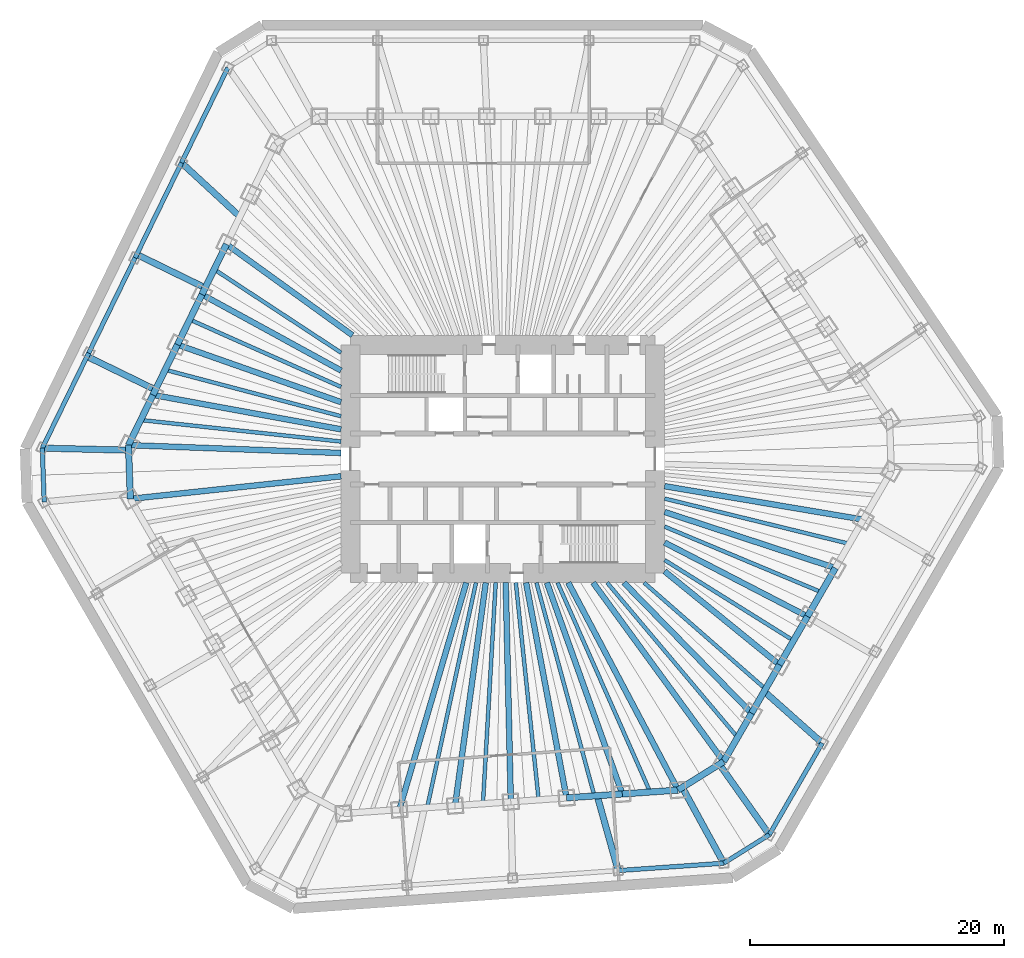
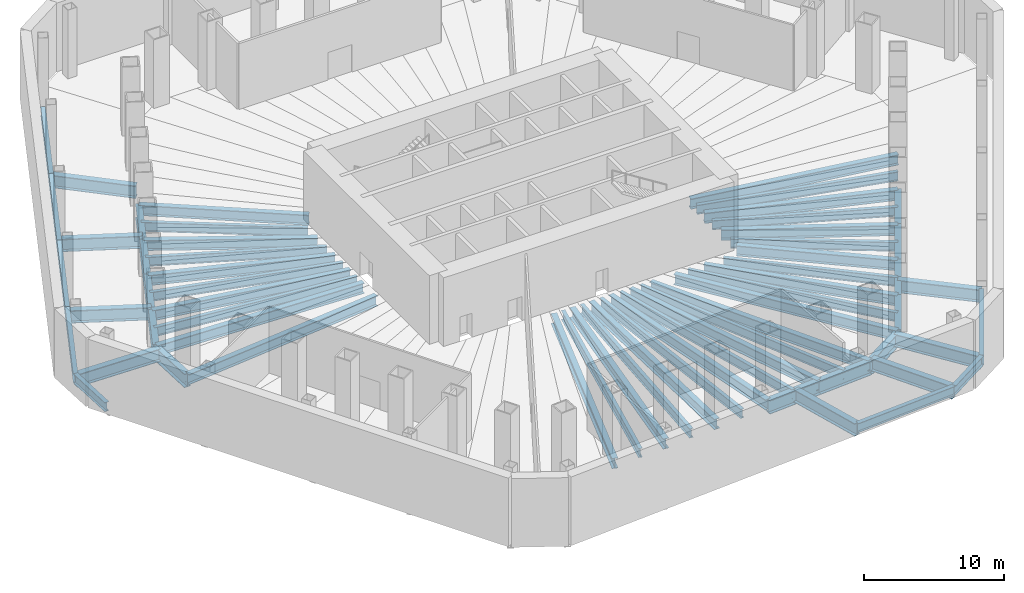
# One storey, part 2 of 8: 60 beams.
"""IFC4 building model written with IfcOpenShell, lengths in metres."""

from ifc_helpers import new_model, si_unit, direction, frame, origin, origin_2d, place, context, subcontext, project, spatial, i_section, extrude, material, material_profile, profile_set, type_object, element, save


model = new_model("IFC4")

# Units and contexts
model_context = context("Model", 3, precision=1e-05, world=origin(), true_north=direction((0.0, 1.0)))
body_context = subcontext(model_context, "Body", "Model", "MODEL_VIEW")
ifc_project = project(units=[si_unit("LENGTHUNIT", "METRE"), si_unit("AREAUNIT", "SQUARE_METRE"), si_unit("VOLUMEUNIT", "CUBIC_METRE"), si_unit("PLANEANGLEUNIT", "RADIAN"), si_unit("MASSUNIT", "GRAM", prefix="KILO")], contexts=[model_context])

# Site, building, storey
site_placement = place(None, origin())
site = spatial("IfcSite", under=ifc_project, at=site_placement, CompositionType="ELEMENT")
building_placement = place(site_placement, origin())
building = spatial("IfcBuilding", under=site, at=building_placement, Name="Qingtian Harvest Tower", CompositionType="ELEMENT")
storey_placement = place(building_placement, frame((0.0, 0.0, -6.0)))
storey = spatial("IfcBuildingStorey", under=building, at=storey_placement, Name="B1", CompositionType="ELEMENT", Elevation=-6.0)

# Beams
ifc_material_1 = material(Name="Steel SM570MC", Category="steel")
ifc_material_profile_1 = material_profile(ifc_material_1, i_section(OverallWidth=0.449951171875, OverallDepth=0.89990234375, WebThickness=0.02197265625, FlangeThickness=0.044921875, at=origin_2d()), Name="H900x450x22x45")
ifc_profile_set_1 = profile_set([ifc_material_profile_1], Name="Steel SM570MC")
beam_type_1 = type_object("IfcBeamType", Name="Floor beam FB5 H900x450x22x45", PredefinedType="BEAM", material=ifc_profile_set_1)
beam_1_placement = place(storey_placement, frame((28.416015625, -4.78173828125, -0.699951171875), z_axis=(-0.986135195489, 0.16594389479, 0.0), x_axis=(-0.16594389479, -0.986135195489, 0.0)))
element("IfcBeam", 1, at=beam_1_placement, inside=storey, type_object=beam_type_1, Name="Floor beam FB5 SE1", PredefinedType="BEAM", context=body_context, shape_type="SweptSolid", body=[
    extrude(i_section(OverallWidth=0.449951171875, OverallDepth=0.89990234375, WebThickness=0.02197265625, FlangeThickness=0.044921875, at=origin_2d()), origin(), (0.0, 0.0, 1.0), 15.88623046875),
])
beam_2_placement = place(storey_placement, frame((26.2138671875, -8.596435546875, -0.699951171875), z_axis=(-0.950210724421, 0.311608053803, 0.0), x_axis=(-0.311608053803, -0.950210724421, 0.0)))
element("IfcBeam", 2, at=beam_2_placement, inside=storey, type_object=beam_type_1, Name="Floor beam FB5 SE2", PredefinedType="BEAM", context=body_context, shape_type="SweptSolid", body=[
    extrude(i_section(OverallWidth=0.449951171875, OverallDepth=0.89990234375, WebThickness=0.02197265625, FlangeThickness=0.044921875, at=origin_2d()), origin(), (0.0, 0.0, 1.0), 14.16943359375),
])
beam_3_placement = place(storey_placement, frame((24.011474609375, -12.410888671875, -0.699951171875), z_axis=(-0.888349581519, 0.45916774823, 0.0), x_axis=(-0.45916774823, -0.888349581519, 0.0)))
element("IfcBeam", 3, at=beam_3_placement, inside=storey, type_object=beam_type_1, Name="Floor beam FB5 SE3", PredefinedType="BEAM", context=body_context, shape_type="SweptSolid", body=[
    extrude(i_section(OverallWidth=0.449951171875, OverallDepth=0.89990234375, WebThickness=0.02197265625, FlangeThickness=0.044921875, at=origin_2d()), origin(), (0.0, 0.0, 1.0), 12.6767578125),
])
beam_4_placement = place(storey_placement, frame((21.809326171875, -16.225341796875, -0.699951171875), z_axis=(-0.775504415669, 0.631342142802, 0.0), x_axis=(-0.631342142802, -0.775504415669, 0.0)))
element("IfcBeam", 4, at=beam_4_placement, inside=storey, type_object=beam_type_1, Name="Floor beam FB5 SE4", PredefinedType="BEAM", context=body_context, shape_type="SweptSolid", body=[
    extrude(i_section(OverallWidth=0.449951171875, OverallDepth=0.89990234375, WebThickness=0.02197265625, FlangeThickness=0.044921875, at=origin_2d()), origin(), (0.0, 0.0, 1.0), 11.681884765625),
])
beam_5_placement = place(storey_placement, frame((19.60693359375, -20.039794921875, -0.699951171875), z_axis=(-0.699348221539, 0.714781130858, 0.0), x_axis=(-0.714781130858, -0.699348221539, 0.0)))
element("IfcBeam", 5, at=beam_5_placement, inside=storey, type_object=beam_type_1, Name="Floor beam FB5 SE5", PredefinedType="BEAM", context=body_context, shape_type="SweptSolid", body=[
    extrude(i_section(OverallWidth=0.449951171875, OverallDepth=0.89990234375, WebThickness=0.02197265625, FlangeThickness=0.044921875, at=origin_2d()), origin(), (0.0, 0.0, 1.0), 14.395751953125),
])
beam_6_placement = place(storey_placement, frame((17.404541015625, -23.854248046875, -0.699951171875), z_axis=(-0.58941234871, 0.807832336062, 0.0), x_axis=(-0.807832336062, -0.58941234871, 0.0)))
element("IfcBeam", 6, at=beam_6_placement, inside=storey, type_object=beam_type_1, Name="Floor beam FB5 SE6", PredefinedType="BEAM", context=body_context, shape_type="SweptSolid", body=[
    extrude(i_section(OverallWidth=0.449951171875, OverallDepth=0.89990234375, WebThickness=0.02197265625, FlangeThickness=0.044921875, at=origin_2d()), origin(), (0.0, 0.0, 1.0), 17.45947265625),
])
beam_7_placement = place(storey_placement, frame((13.810546875, -26.10009765625, -0.699951171875), z_axis=(-0.467705182679, 0.883884529843, 0.0), x_axis=(-0.883884529843, -0.467705182679, 0.0)))
element("IfcBeam", 7, at=beam_7_placement, inside=storey, type_object=beam_type_1, Name="Floor beam FB5 S0", PredefinedType="BEAM", context=body_context, shape_type="SweptSolid", body=[
    extrude(i_section(OverallWidth=0.449951171875, OverallDepth=0.89990234375, WebThickness=0.02197265625, FlangeThickness=0.044921875, at=origin_2d()), origin(), (0.0, 0.0, 1.0), 18.498046875),
])
beam_8_placement = place(storey_placement, frame((9.41650390625, -26.407470703125, -0.699951171875), z_axis=(-0.33586498155, 0.941910141239, 0.0), x_axis=(-0.941910141239, -0.33586498155, 0.0)))
element("IfcBeam", 8, at=beam_8_placement, inside=storey, type_object=beam_type_1, Name="Floor beam FB5 S1", PredefinedType="BEAM", context=body_context, shape_type="SweptSolid", body=[
    extrude(i_section(OverallWidth=0.449951171875, OverallDepth=0.89990234375, WebThickness=0.02197265625, FlangeThickness=0.044921875, at=origin_2d()), origin(), (0.0, 0.0, 1.0), 17.684814453125),
])
beam_9_placement = place(storey_placement, frame((5.022705078125, -26.714599609375, -0.699951171875), z_axis=(-0.184782942099, 0.98277935688, 0.0), x_axis=(-0.98277935688, -0.184782942099, 0.0)))
element("IfcBeam", 9, at=beam_9_placement, inside=storey, type_object=beam_type_1, Name="Floor beam FB5 S2", PredefinedType="BEAM", context=body_context, shape_type="SweptSolid", body=[
    extrude(i_section(OverallWidth=0.449951171875, OverallDepth=0.89990234375, WebThickness=0.02197265625, FlangeThickness=0.044921875, at=origin_2d()), origin(), (0.0, 0.0, 1.0), 17.261962890625),
])
beam_10_placement = place(storey_placement, frame((0.62890625, -27.02197265625, -0.699951171875), z_axis=(-0.023274161941, 0.999729120005, 0.0), x_axis=(-0.999729120005, -0.023274161941, 0.0)))
element("IfcBeam", 10, at=beam_10_placement, inside=storey, type_object=beam_type_1, Name="Floor beam FB5 S3", PredefinedType="BEAM", context=body_context, shape_type="SweptSolid", body=[
    extrude(i_section(OverallWidth=0.449951171875, OverallDepth=0.89990234375, WebThickness=0.02197265625, FlangeThickness=0.044921875, at=origin_2d()), origin(), (0.0, 0.0, 1.0), 17.276611328125),
])
beam_11_placement = place(storey_placement, frame((-3.76513671875, -27.3291015625, -0.699951171875), z_axis=(0.136480966577, 0.990642693287, 0.0), x_axis=(-0.990642693287, 0.136480966577, 0.0)))
element("IfcBeam", 11, at=beam_11_placement, inside=storey, type_object=beam_type_1, Name="Floor beam FB5 S4", PredefinedType="BEAM", context=body_context, shape_type="SweptSolid", body=[
    extrude(i_section(OverallWidth=0.449951171875, OverallDepth=0.89990234375, WebThickness=0.02197265625, FlangeThickness=0.044921875, at=origin_2d()), origin(), (0.0, 0.0, 1.0), 17.7451171875),
])
beam_12_placement = place(storey_placement, frame((-8.158935546875, -27.636474609375, -0.699951171875), z_axis=(0.283142824758, 0.95907775534, 0.0), x_axis=(-0.95907775534, 0.283142824758, 0.0)))
element("IfcBeam", 12, at=beam_12_placement, inside=storey, type_object=beam_type_1, Name="Floor beam FB5 S5", PredefinedType="BEAM", context=body_context, shape_type="SweptSolid", body=[
    extrude(i_section(OverallWidth=0.449951171875, OverallDepth=0.89990234375, WebThickness=0.02197265625, FlangeThickness=0.044921875, at=origin_2d()), origin(), (0.0, 0.0, 1.0), 18.649658203125),
])
beam_13_placement = place(storey_placement, frame((-29.36083984375, -3.145751953125, -0.699951171875), z_axis=(0.994308822197, 0.106536219669, 0.0), x_axis=(-0.106536219669, 0.994308822197, 0.0)))
element("IfcBeam", 13, at=beam_13_placement, inside=storey, type_object=beam_type_1, Name="Floor beam FB5 SW6", PredefinedType="BEAM", context=body_context, shape_type="SweptSolid", body=[
    extrude(i_section(OverallWidth=0.449951171875, OverallDepth=0.89990234375, WebThickness=0.02197265625, FlangeThickness=0.044921875, at=origin_2d()), origin(), (0.0, 0.0, 1.0), 16.705810546875),
])
beam_14_placement = place(storey_placement, frame((-29.5087890625, 1.08984375, -0.699951171875), z_axis=(0.999318796571, -0.036904509488, 0.0), x_axis=(0.036904509488, 0.999318796571, 0.0)))
element("IfcBeam", 14, at=beam_14_placement, inside=storey, type_object=beam_type_1, Name="Floor beam FB5 NW0", PredefinedType="BEAM", context=body_context, shape_type="SweptSolid", body=[
    extrude(i_section(OverallWidth=0.449951171875, OverallDepth=0.89990234375, WebThickness=0.02197265625, FlangeThickness=0.044921875, at=origin_2d()), origin(), (0.0, 0.0, 1.0), 16.770263671875),
])
beam_15_placement = place(storey_placement, frame((-27.577880859375, 5.048828125, -0.699951171875), z_axis=(0.98365177106, -0.180081074215, 0.0), x_axis=(0.180081074215, 0.98365177106, 0.0)))
element("IfcBeam", 15, at=beam_15_placement, inside=storey, type_object=beam_type_1, Name="Floor beam FB5 NW1", PredefinedType="BEAM", context=body_context, shape_type="SweptSolid", body=[
    extrude(i_section(OverallWidth=0.449951171875, OverallDepth=0.89990234375, WebThickness=0.02197265625, FlangeThickness=0.044921875, at=origin_2d()), origin(), (0.0, 0.0, 1.0), 15.07421875),
])
beam_16_placement = place(storey_placement, frame((-25.64697265625, 9.007568359375, -0.699951171875), z_axis=(0.943501950009, -0.331366972296, 0.0), x_axis=(0.331366972296, 0.943501950009, 0.0)))
element("IfcBeam", 16, at=beam_16_placement, inside=storey, type_object=beam_type_1, Name="Floor beam FB5 NW2", PredefinedType="BEAM", context=body_context, shape_type="SweptSolid", body=[
    extrude(i_section(OverallWidth=0.449951171875, OverallDepth=0.89990234375, WebThickness=0.02197265625, FlangeThickness=0.044921875, at=origin_2d()), origin(), (0.0, 0.0, 1.0), 13.669189453125),
])
beam_17_placement = place(storey_placement, frame((-23.716064453125, 12.96630859375, -0.699951171875), z_axis=(0.877428569154, -0.479707312882, 0.0), x_axis=(0.479707312882, 0.877428569154, 0.0)))
element("IfcBeam", 17, at=beam_17_placement, inside=storey, type_object=beam_type_1, Name="Floor beam FB5 NW3", PredefinedType="BEAM", context=body_context, shape_type="SweptSolid", body=[
    extrude(i_section(OverallWidth=0.449951171875, OverallDepth=0.89990234375, WebThickness=0.02197265625, FlangeThickness=0.044921875, at=origin_2d()), origin(), (0.0, 0.0, 1.0), 12.498046875),
])
beam_18_placement = place(storey_placement, frame((-21.78515625, 16.92529296875, -0.699951171875), z_axis=(0.810680279019, -0.585489099139, 0.0), x_axis=(0.585489099139, 0.810680279019, 0.0)))
element("IfcBeam", 18, at=beam_18_placement, inside=storey, type_object=beam_type_1, Name="Floor beam FB5 NW4", PredefinedType="BEAM", context=body_context, shape_type="SweptSolid", body=[
    extrude(i_section(OverallWidth=0.449951171875, OverallDepth=0.89990234375, WebThickness=0.02197265625, FlangeThickness=0.044921875, at=origin_2d()), origin(), (0.0, 0.0, 1.0), 12.255126953125),
])
ifc_material_2 = material(Name="Steel SM570MC", Category="steel")
ifc_material_profile_2 = material_profile(ifc_material_2, i_section(OverallWidth=0.5, OverallDepth=1.10009765625, WebThickness=0.02490234375, FlangeThickness=0.050048828125, at=origin_2d()), Name="H1100x500x25x50")
ifc_profile_set_2 = profile_set([ifc_material_profile_2], Name="Steel SM570MC")
beam_type_2 = type_object("IfcBeamType", Name="Floor beam FB6 H1100x500x25x50", PredefinedType="BEAM", material=ifc_profile_set_2)
beam_19_placement = place(storey_placement, frame((25.176513671875, -22.39306640625, -0.800048828125), z_axis=(-0.747204806823, 0.664593843381, 0.0), x_axis=(-0.664593843381, -0.747204806823, 0.0)))
element("IfcBeam", 19, at=beam_19_placement, inside=storey, type_object=beam_type_2, Name="Podium floor beam FB6 SE3", PredefinedType="BEAM", context=body_context, shape_type="SweptSolid", body=[
    extrude(i_section(OverallWidth=0.5, OverallDepth=1.10009765625, WebThickness=0.02490234375, FlangeThickness=0.050048828125, at=origin_2d()), origin(), (0.0, 0.0, 1.0), 6.12646484375),
])
for number, where, z_axis, x_axis, name in (
    (20, (21.005615234375, -29.6171875, -0.800048828125), (-0.578520766402, 0.81566765465, 0.0), (-0.81566765465, -0.578520766402, 0.0), "Podium floor beam FB6 SE4"),
    (21, (17.411376953125, -31.863037109375, -0.800048828125), (-0.479497824653, 0.877543067976, 0.0), (-0.877543067976, -0.479497824653, 0.0), "Podium floor beam FB6 S0"),
):
    element("IfcBeam", number, at=place(storey_placement, frame(where, z_axis=z_axis, x_axis=x_axis)), inside=storey, type_object=beam_type_2, Name=name, PredefinedType="BEAM", context=body_context, shape_type="SweptSolid", body=[
        extrude(i_section(OverallWidth=0.5, OverallDepth=1.10009765625, WebThickness=0.02490234375, FlangeThickness=0.050048828125, at=origin_2d()), origin(), (0.0, 0.0, 1.0), 6.806884765625),
    ])
beam_20_placement = place(storey_placement, frame((9.090087890625, -32.44482421875, -0.800048828125), z_axis=(-0.269801393406, 0.962915992242, 0.0), x_axis=(-0.962915992242, -0.269801393406, 0.0)))
element("IfcBeam", 22, at=beam_20_placement, inside=storey, type_object=beam_type_2, Name="Podium floor beam FB6 S1", PredefinedType="BEAM", context=body_context, shape_type="SweptSolid", body=[
    extrude(i_section(OverallWidth=0.5, OverallDepth=1.10009765625, WebThickness=0.02490234375, FlangeThickness=0.050048828125, at=origin_2d()), origin(), (0.0, 0.0, 1.0), 6.126220703125),
])
beam_21_placement = place(storey_placement, frame((-36.300048828125, 0.852783203125, -0.800048828125), z_axis=(0.999724022167, -0.023492115754, 0.0), x_axis=(0.023492115754, 0.999724022167, 0.0)))
element("IfcBeam", 23, at=beam_21_placement, inside=storey, type_object=beam_type_2, Name="Podium floor beam FB6 NW0", PredefinedType="BEAM", context=body_context, shape_type="SweptSolid", body=[
    extrude(i_section(OverallWidth=0.5, OverallDepth=1.10009765625, WebThickness=0.02490234375, FlangeThickness=0.050048828125, at=origin_2d()), origin(), (0.0, 0.0, 1.0), 6.80712890625),
])
beam_22_placement = place(storey_placement, frame((-32.774658203125, 8.08056640625, -0.800048828125), z_axis=(0.898802465371, -0.438353884714, 0.0), x_axis=(0.438353884714, 0.898802465371, 0.0)))
element("IfcBeam", 24, at=beam_22_placement, inside=storey, type_object=beam_type_2, Name="Podium floor beam FB6 NW1", PredefinedType="BEAM", context=body_context, shape_type="SweptSolid", body=[
    extrude(i_section(OverallWidth=0.5, OverallDepth=1.10009765625, WebThickness=0.02490234375, FlangeThickness=0.050048828125, at=origin_2d()), origin(), (0.0, 0.0, 1.0), 6.0),
])
beam_23_placement = place(storey_placement, frame((-28.854736328125, 16.117431640625, -0.800048828125), z_axis=(0.898794646181, -0.438369916847, 0.0), x_axis=(0.438369916847, 0.898794646181, 0.0)))
element("IfcBeam", 25, at=beam_23_placement, inside=storey, type_object=beam_type_2, Name="Podium floor beam FB6 NW2", PredefinedType="BEAM", context=body_context, shape_type="SweptSolid", body=[
    extrude(i_section(OverallWidth=0.5, OverallDepth=1.10009765625, WebThickness=0.02490234375, FlangeThickness=0.050048828125, at=origin_2d()), origin(), (0.0, 0.0, 1.0), 5.999755859375),
])
beam_24_placement = place(storey_placement, frame((-25.32958984375, 23.345458984375, -0.800048828125), z_axis=(0.735326285835, -0.67771325305, 0.0), x_axis=(0.67771325305, 0.735326285835, 0.0)))
element("IfcBeam", 26, at=beam_24_placement, inside=storey, type_object=beam_type_2, Name="Podium floor beam FB6 NW3", PredefinedType="BEAM", context=body_context, shape_type="SweptSolid", body=[
    extrude(i_section(OverallWidth=0.5, OverallDepth=1.10009765625, WebThickness=0.02490234375, FlangeThickness=0.050048828125, at=origin_2d()), origin(), (0.0, 0.0, 1.0), 6.26318359375),
])
ifc_material_3 = material(Name="Steel SN490B", Category="steel")
ifc_material_profile_3 = material_profile(ifc_material_3, i_section(OverallWidth=0.300048828125, OverallDepth=0.800048828125, WebThickness=0.013916015625, FlangeThickness=0.02587890625, at=origin_2d()), Name="H800x300x14x26")
ifc_profile_set_3 = profile_set([ifc_material_profile_3], Name="Steel SN490B")
beam_type_3 = type_object("IfcBeamType", Name="Floor joist J1 H800x300x14x26", PredefinedType="JOIST", material=ifc_profile_set_3)
beam_25_placement = place(storey_placement, frame((27.31494140625, -6.68896484375, -0.64990234375), z_axis=(-0.971301533706, 0.237851488583, 0.0), x_axis=(-0.237851488583, -0.971301533706, 0.0)))
element("IfcBeam", 27, at=beam_25_placement, inside=storey, type_object=beam_type_3, Name="Floor joist J1 SE1", PredefinedType="JOIST", context=body_context, shape_type="SweptSolid", body=[
    extrude(i_section(OverallWidth=0.300048828125, OverallDepth=0.800048828125, WebThickness=0.013916015625, FlangeThickness=0.02587890625, at=origin_2d()), origin(), (0.0, 0.0, 1.0), 14.995361328125),
])
beam_26_placement = place(storey_placement, frame((25.112548828125, -10.503662109375, -0.64990234375), z_axis=(-0.922550516103, 0.385876334125, 0.0), x_axis=(-0.385876334125, -0.922550516103, 0.0)))
element("IfcBeam", 28, at=beam_26_placement, inside=storey, type_object=beam_type_3, Name="Floor joist J1 SE2", PredefinedType="JOIST", context=body_context, shape_type="SweptSolid", body=[
    extrude(i_section(OverallWidth=0.300048828125, OverallDepth=0.800048828125, WebThickness=0.013916015625, FlangeThickness=0.02587890625, at=origin_2d()), origin(), (0.0, 0.0, 1.0), 13.400390625),
])
beam_27_placement = place(storey_placement, frame((22.910400390625, -14.318115234375, -0.64990234375), z_axis=(-0.848013185461, 0.52997512893, 0.0), x_axis=(-0.52997512893, -0.848013185461, 0.0)))
element("IfcBeam", 29, at=beam_27_placement, inside=storey, type_object=beam_type_3, Name="Floor joist J1 SE3", PredefinedType="JOIST", context=body_context, shape_type="SweptSolid", body=[
    extrude(i_section(OverallWidth=0.300048828125, OverallDepth=0.800048828125, WebThickness=0.013916015625, FlangeThickness=0.02587890625, at=origin_2d()), origin(), (0.0, 0.0, 1.0), 11.9814453125),
])
beam_28_placement = place(storey_placement, frame((20.7080078125, -18.132568359375, -0.64990234375), z_axis=(-0.75234369212, 0.658770801514, 0.0), x_axis=(-0.658770801514, -0.75234369212, 0.0)))
element("IfcBeam", 30, at=beam_28_placement, inside=storey, type_object=beam_type_3, Name="Floor joist J1 SE4", PredefinedType="JOIST", context=body_context, shape_type="SweptSolid", body=[
    extrude(i_section(OverallWidth=0.300048828125, OverallDepth=0.800048828125, WebThickness=0.013916015625, FlangeThickness=0.02587890625, at=origin_2d()), origin(), (0.0, 0.0, 1.0), 12.724609375),
])
beam_29_placement = place(storey_placement, frame((18.505859375, -21.947021484375, -0.64990234375), z_axis=(-0.644630398038, 0.76449437534, 0.0), x_axis=(-0.76449437534, -0.644630398038, 0.0)))
element("IfcBeam", 31, at=beam_29_placement, inside=storey, type_object=beam_type_3, Name="Floor joist J1 SE5", PredefinedType="JOIST", context=body_context, shape_type="SweptSolid", body=[
    extrude(i_section(OverallWidth=0.300048828125, OverallDepth=0.800048828125, WebThickness=0.013916015625, FlangeThickness=0.02587890625, at=origin_2d()), origin(), (0.0, 0.0, 1.0), 15.954345703125),
])
beam_30_placement = place(storey_placement, frame((11.613525390625, -26.25390625, -0.64990234375), z_axis=(-0.404539958959, 0.914520323233, 0.0), x_axis=(-0.914520323233, -0.404539958959, 0.0)))
element("IfcBeam", 32, at=beam_30_placement, inside=storey, type_object=beam_type_3, Name="Floor joist J1 S0", PredefinedType="JOIST", context=body_context, shape_type="SweptSolid", body=[
    extrude(i_section(OverallWidth=0.300048828125, OverallDepth=0.800048828125, WebThickness=0.013916015625, FlangeThickness=0.02587890625, at=origin_2d()), origin(), (0.0, 0.0, 1.0), 18.046630859375),
])
beam_31_placement = place(storey_placement, frame((7.2197265625, -26.56103515625, -0.64990234375), z_axis=(-0.262302659247, 0.964985655309, 0.0), x_axis=(-0.964985655309, -0.262302659247, 0.0)))
element("IfcBeam", 33, at=beam_31_placement, inside=storey, type_object=beam_type_3, Name="Floor joist J1 S1", PredefinedType="JOIST", context=body_context, shape_type="SweptSolid", body=[
    extrude(i_section(OverallWidth=0.300048828125, OverallDepth=0.800048828125, WebThickness=0.013916015625, FlangeThickness=0.02587890625, at=origin_2d()), origin(), (0.0, 0.0, 1.0), 17.421142578125),
])
beam_32_placement = place(storey_placement, frame((2.82568359375, -26.868408203125, -0.64990234375), z_axis=(-0.104590278152, 0.99451539642, 0.0), x_axis=(-0.99451539642, -0.104590278152, 0.0)))
element("IfcBeam", 34, at=beam_32_placement, inside=storey, type_object=beam_type_3, Name="Floor joist J1 S2", PredefinedType="JOIST", context=body_context, shape_type="SweptSolid", body=[
    extrude(i_section(OverallWidth=0.300048828125, OverallDepth=0.800048828125, WebThickness=0.013916015625, FlangeThickness=0.02587890625, at=origin_2d()), origin(), (0.0, 0.0, 1.0), 17.212890625),
])
beam_33_placement = place(storey_placement, frame((-1.568115234375, -27.175537109375, -0.64990234375), z_axis=(0.057613424947, 0.998338967118, 0.0), x_axis=(-0.998338967118, 0.057613424947, 0.0)))
element("IfcBeam", 35, at=beam_33_placement, inside=storey, type_object=beam_type_3, Name="Floor joist J1 S3", PredefinedType="JOIST", context=body_context, shape_type="SweptSolid", body=[
    extrude(i_section(OverallWidth=0.300048828125, OverallDepth=0.800048828125, WebThickness=0.013916015625, FlangeThickness=0.02587890625, at=origin_2d()), origin(), (0.0, 0.0, 1.0), 17.45458984375),
])
beam_34_placement = place(storey_placement, frame((-5.9619140625, -27.48291015625, -0.64990234375), z_axis=(0.211992805661, 0.977271226604, 0.0), x_axis=(-0.977271226604, 0.211992805661, 0.0)))
element("IfcBeam", 36, at=beam_34_placement, inside=storey, type_object=beam_type_3, Name="Floor joist J1 S4", PredefinedType="JOIST", context=body_context, shape_type="SweptSolid", body=[
    extrude(i_section(OverallWidth=0.300048828125, OverallDepth=0.800048828125, WebThickness=0.013916015625, FlangeThickness=0.02587890625, at=origin_2d()), origin(), (0.0, 0.0, 1.0), 18.145263671875),
])
beam_35_placement = place(storey_placement, frame((-28.543212890625, 3.0693359375, -0.64990234375), z_axis=(0.994268320665, -0.106913546948, 0.0), x_axis=(0.106913546948, 0.994268320665, 0.0)))
element("IfcBeam", 37, at=beam_35_placement, inside=storey, type_object=beam_type_3, Name="Floor joist J1 NW0", PredefinedType="JOIST", context=body_context, shape_type="SweptSolid", body=[
    extrude(i_section(OverallWidth=0.300048828125, OverallDepth=0.800048828125, WebThickness=0.013916015625, FlangeThickness=0.02587890625, at=origin_2d()), origin(), (0.0, 0.0, 1.0), 15.88427734375),
])
beam_36_placement = place(storey_placement, frame((-26.6123046875, 7.028076171875, -0.64990234375), z_axis=(0.966852496992, -0.255335561684, 0.0), x_axis=(0.255335561684, 0.966852496992, 0.0)))
element("IfcBeam", 38, at=beam_36_placement, inside=storey, type_object=beam_type_3, Name="Floor joist J1 NW1", PredefinedType="JOIST", context=body_context, shape_type="SweptSolid", body=[
    extrude(i_section(OverallWidth=0.300048828125, OverallDepth=0.800048828125, WebThickness=0.013916015625, FlangeThickness=0.02587890625, at=origin_2d()), origin(), (0.0, 0.0, 1.0), 14.337646484375),
])
beam_37_placement = place(storey_placement, frame((-24.681640625, 10.987060546875, -0.64990234375), z_axis=(0.913567796195, -0.406686466157, 0.0), x_axis=(0.406686466157, 0.913567796195, 0.0)))
element("IfcBeam", 39, at=beam_37_placement, inside=storey, type_object=beam_type_3, Name="Floor joist J1 NW2", PredefinedType="JOIST", context=body_context, shape_type="SweptSolid", body=[
    extrude(i_section(OverallWidth=0.300048828125, OverallDepth=0.800048828125, WebThickness=0.013916015625, FlangeThickness=0.02587890625, at=origin_2d()), origin(), (0.0, 0.0, 1.0), 13.060546875),
])
beam_38_placement = place(storey_placement, frame((-22.750732421875, 14.94580078125, -0.64990234375), z_axis=(0.835785467613, -0.549056146607, 0.0), x_axis=(0.549056146607, 0.835785467613, 0.0)))
element("IfcBeam", 40, at=beam_38_placement, inside=storey, type_object=beam_type_3, Name="Floor joist J1 NW3", PredefinedType="JOIST", context=body_context, shape_type="SweptSolid", body=[
    extrude(i_section(OverallWidth=0.300048828125, OverallDepth=0.800048828125, WebThickness=0.013916015625, FlangeThickness=0.02587890625, at=origin_2d()), origin(), (0.0, 0.0, 1.0), 11.965576171875),
])
ifc_material_4 = material(Name="Steel SN490B", Category="steel")
ifc_material_profile_4 = material_profile(ifc_material_4, i_section(OverallWidth=0.35009765625, OverallDepth=0.800048828125, WebThickness=0.01611328125, FlangeThickness=0.028076171875, at=origin_2d()), Name="H800x350x16x28")
ifc_profile_set_4 = profile_set([ifc_material_profile_4], Name="Steel SN490B")
beam_type_4 = type_object("IfcBeamType", Name="Podium beam PB1 H800x350x16x28", PredefinedType="BEAM", material=ifc_profile_set_4)
beam_39_placement = place(storey_placement, frame((25.176513671875, -22.39306640625, -0.64990234375), z_axis=(-0.500004511595, -0.866022798998, 0.0), x_axis=(0.866022798998, -0.500004511595, 0.0)))
element("IfcBeam", 41, at=beam_39_placement, inside=storey, type_object=beam_type_4, Name="Podium edge beam PB1 SE3", PredefinedType="BEAM", context=body_context, shape_type="SweptSolid", body=[
    extrude(i_section(OverallWidth=0.35009765625, OverallDepth=0.800048828125, WebThickness=0.01611328125, FlangeThickness=0.028076171875, at=origin_2d()), origin(), (0.0, 0.0, 1.0), 8.341796875),
])
beam_40_placement = place(storey_placement, frame((21.005615234375, -29.6171875, -0.64990234375), z_axis=(-0.848056550838, -0.529905733675, 0.0), x_axis=(0.529905733675, -0.848056550838, 0.0)))
element("IfcBeam", 42, at=beam_40_placement, inside=storey, type_object=beam_type_4, Name="Podium edge beam PB1 SE4", PredefinedType="BEAM", context=body_context, shape_type="SweptSolid", body=[
    extrude(i_section(OverallWidth=0.35009765625, OverallDepth=0.800048828125, WebThickness=0.01611328125, FlangeThickness=0.028076171875, at=origin_2d()), origin(), (0.0, 0.0, 1.0), 4.23828125),
])
beam_41_placement = place(storey_placement, frame((17.411376953125, -31.863037109375, -0.64990234375), z_axis=(-0.997564835239, -0.069745247106, 0.0), x_axis=(0.069745247106, -0.997564835239, 0.0)))
element("IfcBeam", 43, at=beam_41_placement, inside=storey, type_object=beam_type_4, Name="Podium edge beam PB1 S0", PredefinedType="BEAM", context=body_context, shape_type="SweptSolid", body=[
    extrude(i_section(OverallWidth=0.35009765625, OverallDepth=0.800048828125, WebThickness=0.01611328125, FlangeThickness=0.028076171875, at=origin_2d()), origin(), (0.0, 0.0, 1.0), 8.341552734375),
])
beam_42_placement = place(storey_placement, frame((-36.152099609375, -3.3828125, -0.64990234375), z_axis=(-0.034908677553, 0.999390506375, 0.0), x_axis=(-0.999390506375, -0.034908677553, 0.0)))
element("IfcBeam", 44, at=beam_42_placement, inside=storey, type_object=beam_type_4, Name="Podium edge beam PB1 SW4", PredefinedType="BEAM", context=body_context, shape_type="SweptSolid", body=[
    extrude(i_section(OverallWidth=0.35009765625, OverallDepth=0.800048828125, WebThickness=0.01611328125, FlangeThickness=0.028076171875, at=origin_2d()), origin(), (0.0, 0.0, 1.0), 4.23828125),
])
for number, where, z_axis, x_axis, name in (
    (45, (-36.300048828125, 0.852783203125, -0.64990234375), (0.438388457998, 0.898785602852, 0.0), (-0.898785602852, 0.438388457998, 0.0), "Podium edge beam PB1 NW0"),
    (46, (-32.64306640625, 8.350341796875, -0.64990234375), (0.438364815309, 0.898797134341, 0.0), (-0.898797134341, 0.438364815309, 0.0), "Podium edge beam PB1 NW1"),
    (47, (-28.986328125, 15.847900390625, -0.64990234375), (0.438364815309, 0.898797134341, 0.0), (-0.898797134341, 0.438364815309, 0.0), "Podium edge beam PB1 NW2"),
):
    element("IfcBeam", number, at=place(storey_placement, frame(where, z_axis=z_axis, x_axis=x_axis)), inside=storey, type_object=beam_type_4, Name=name, PredefinedType="BEAM", context=body_context, shape_type="SweptSolid", body=[
        extrude(i_section(OverallWidth=0.35009765625, OverallDepth=0.800048828125, WebThickness=0.01611328125, FlangeThickness=0.028076171875, at=origin_2d()), origin(), (0.0, 0.0, 1.0), 8.341796875),
    ])
beam_43_placement = place(storey_placement, frame((-25.32958984375, 23.345458984375, -0.64990234375), z_axis=(0.438376346902, 0.898791510016, 0.0), x_axis=(-0.898791510016, 0.438376346902, 0.0)))
element("IfcBeam", 48, at=beam_43_placement, inside=storey, type_object=beam_type_4, Name="Podium edge beam PB1 NW3", PredefinedType="BEAM", context=body_context, shape_type="SweptSolid", body=[
    extrude(i_section(OverallWidth=0.35009765625, OverallDepth=0.800048828125, WebThickness=0.01611328125, FlangeThickness=0.028076171875, at=origin_2d()), origin(), (0.0, 0.0, 1.0), 8.341552734375),
])
ifc_material_5 = material(Name="Steel SM570MC", Category="steel")
ifc_material_profile_5 = material_profile(ifc_material_5, i_section(OverallWidth=0.5, OverallDepth=1.199951171875, WebThickness=0.02490234375, FlangeThickness=0.050048828125, at=origin_2d()), Name="H1200x500x25x50")
ifc_profile_set_5 = profile_set([ifc_material_profile_5], Name="Steel SM570MC")
beam_type_5 = type_object("IfcBeamType", Name="Spandrel beam SB1 H1200x500x25x50", PredefinedType="SPANDREL", material=ifc_profile_set_5)
for number, where, z_axis, x_axis, name in (
    (49, (26.2138671875, -8.596435546875, -0.85009765625), (-0.50001992892, -0.866013897511, 0.0), (0.866013897511, -0.50001992892, 0.0), "Spandrel SB1 SE2"),
    (50, (24.011474609375, -12.410888671875, -0.85009765625), (-0.499978356969, -0.866037899034, 0.0), (0.866037899034, -0.499978356969, 0.0), "Spandrel SB1 SE3"),
    (51, (21.809326171875, -16.225341796875, -0.85009765625), (-0.50001992892, -0.866013897511, 0.0), (0.866013897511, -0.50001992892, 0.0), "Spandrel SB1 SE4"),
    (52, (19.60693359375, -20.039794921875, -0.85009765625), (-0.50001992892, -0.866013897511, 0.0), (0.866013897511, -0.50001992892, 0.0), "Spandrel SB1 SE5"),
):
    element("IfcBeam", number, at=place(storey_placement, frame(where, z_axis=z_axis, x_axis=x_axis)), inside=storey, type_object=beam_type_5, Name=name, PredefinedType="SPANDREL", context=body_context, shape_type="SweptSolid", body=[
        extrude(i_section(OverallWidth=0.5, OverallDepth=1.199951171875, WebThickness=0.02490234375, FlangeThickness=0.050048828125, at=origin_2d()), origin(), (0.0, 0.0, 1.0), 4.404541015625),
    ])
beam_44_placement = place(storey_placement, frame((17.404541015625, -23.854248046875, -0.85009765625), z_axis=(-0.848040374245, -0.529931621675, 0.0), x_axis=(0.529931621675, -0.848040374245, 0.0)))
element("IfcBeam", 53, at=beam_44_placement, inside=storey, type_object=beam_type_5, Name="Spandrel SB1 SEC", PredefinedType="SPANDREL", context=body_context, shape_type="SweptSolid", body=[
    extrude(i_section(OverallWidth=0.5, OverallDepth=1.199951171875, WebThickness=0.02490234375, FlangeThickness=0.050048828125, at=origin_2d()), origin(), (0.0, 0.0, 1.0), 4.238037109375),
])
beam_45_placement = place(storey_placement, frame((13.810546875, -26.10009765625, -0.85009765625), z_axis=(-0.997562286406, -0.069781693443, 0.0), x_axis=(0.069781693443, -0.997562286406, 0.0)))
element("IfcBeam", 54, at=beam_45_placement, inside=storey, type_object=beam_type_5, Name="Spandrel SB1 S0", PredefinedType="SPANDREL", context=body_context, shape_type="SweptSolid", body=[
    extrude(i_section(OverallWidth=0.5, OverallDepth=1.199951171875, WebThickness=0.02490234375, FlangeThickness=0.050048828125, at=origin_2d()), origin(), (0.0, 0.0, 1.0), 4.40478515625),
])
beam_46_placement = place(storey_placement, frame((9.41650390625, -26.407470703125, -0.85009765625), z_axis=(-0.997565873714, -0.069730392239, 0.0), x_axis=(0.069730392239, -0.997565873714, 0.0)))
element("IfcBeam", 55, at=beam_46_placement, inside=storey, type_object=beam_type_5, Name="Spandrel SB1 S1", PredefinedType="SPANDREL", context=body_context, shape_type="SweptSolid", body=[
    extrude(i_section(OverallWidth=0.5, OverallDepth=1.199951171875, WebThickness=0.02490234375, FlangeThickness=0.050048828125, at=origin_2d()), origin(), (0.0, 0.0, 1.0), 4.404541015625),
])
beam_47_placement = place(storey_placement, frame((-29.36083984375, -3.145751953125, -0.85009765625), z_axis=(-0.034908677553, 0.999390506375, 0.0), x_axis=(-0.999390506375, -0.034908677553, 0.0)))
element("IfcBeam", 56, at=beam_47_placement, inside=storey, type_object=beam_type_5, Name="Spandrel SB1 SWC", PredefinedType="SPANDREL", context=body_context, shape_type="SweptSolid", body=[
    extrude(i_section(OverallWidth=0.5, OverallDepth=1.199951171875, WebThickness=0.02490234375, FlangeThickness=0.050048828125, at=origin_2d()), origin(), (0.0, 0.0, 1.0), 4.23828125),
])
beam_48_placement = place(storey_placement, frame((-29.5087890625, 1.08984375, -0.85009765625), z_axis=(0.438367938366, 0.898795611145, 0.0), x_axis=(-0.898795611145, 0.438367938366, 0.0)))
element("IfcBeam", 57, at=beam_48_placement, inside=storey, type_object=beam_type_5, Name="Spandrel SB1 NW0", PredefinedType="SPANDREL", context=body_context, shape_type="SweptSolid", body=[
    extrude(i_section(OverallWidth=0.5, OverallDepth=1.199951171875, WebThickness=0.02490234375, FlangeThickness=0.050048828125, at=origin_2d()), origin(), (0.0, 0.0, 1.0), 4.40478515625),
])
for number, where, z_axis, x_axis, name in (
    (58, (-27.577880859375, 5.048828125, -0.85009765625), (0.438389777529, 0.898784959241, 0.0), (-0.898784959241, 0.438389777529, 0.0), "Spandrel SB1 NW1"),
    (59, (-25.64697265625, 9.007568359375, -0.85009765625), (0.438389777529, 0.898784959241, 0.0), (-0.898784959241, 0.438389777529, 0.0), "Spandrel SB1 NW2"),
):
    element("IfcBeam", number, at=place(storey_placement, frame(where, z_axis=z_axis, x_axis=x_axis)), inside=storey, type_object=beam_type_5, Name=name, PredefinedType="SPANDREL", context=body_context, shape_type="SweptSolid", body=[
        extrude(i_section(OverallWidth=0.5, OverallDepth=1.199951171875, WebThickness=0.02490234375, FlangeThickness=0.050048828125, at=origin_2d()), origin(), (0.0, 0.0, 1.0), 4.404541015625),
    ])
beam_49_placement = place(storey_placement, frame((-23.716064453125, 12.96630859375, -0.85009765625), z_axis=(0.438367938366, 0.898795611145, 0.0), x_axis=(-0.898795611145, 0.438367938366, 0.0)))
element("IfcBeam", 60, at=beam_49_placement, inside=storey, type_object=beam_type_5, Name="Spandrel SB1 NW3", PredefinedType="SPANDREL", context=body_context, shape_type="SweptSolid", body=[
    extrude(i_section(OverallWidth=0.5, OverallDepth=1.199951171875, WebThickness=0.02490234375, FlangeThickness=0.050048828125, at=origin_2d()), origin(), (0.0, 0.0, 1.0), 4.40478515625),
])

save(model, "model.ifc")
